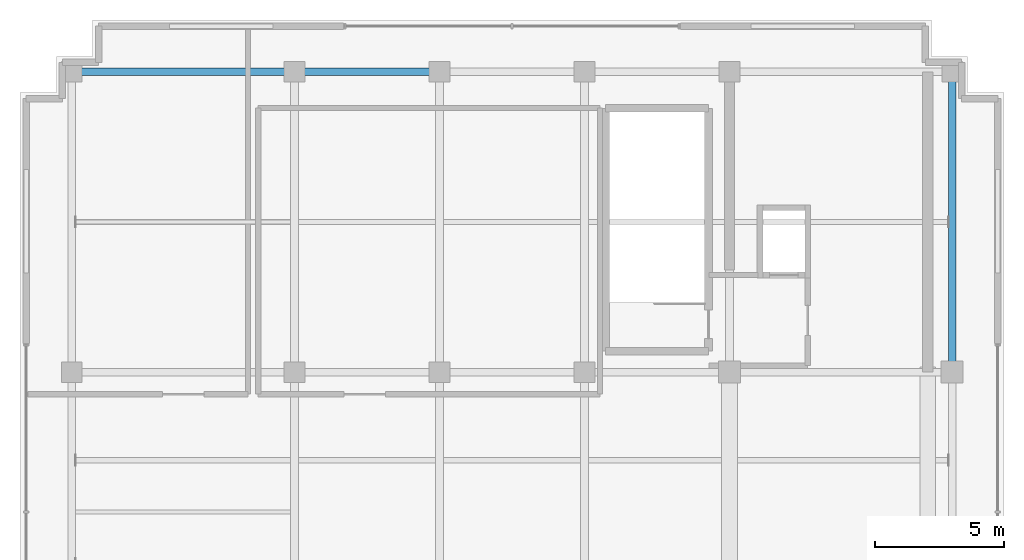
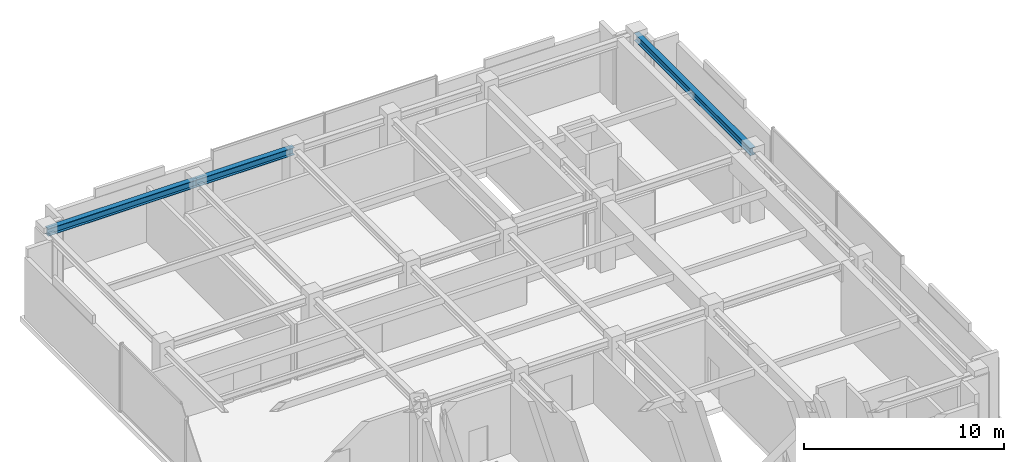
# One storey, part 13 of 21: 3 beams.
"""IFC4 building model written with IfcOpenShell, lengths in metres."""

import ifcopenshell
import ifcopenshell.guid

model = None  # the IFC model being written
_history = None  # IfcOwnerHistory: only IFC2X3 demands one
_inside = {}  # id of a spatial element -> (the spatial element, [elements in it])
_under = {}  # id of a project, library or spatial element -> (it, [spatial elements below it])
_declared = {}  # id of a project -> (the project, [libraries it declares])
_typed = {}  # id of a type object -> (the type object, [elements of that type])
_made_of = {}  # id of a material, layer set ... -> (it, [elements and type objects made of it])


def new_model(schema):
    """Start an empty IFC model of exactly this schema.

    Asked for "IFC4X3", IfcOpenShell would pick the latest addendum, in which some entities
    have other attributes; the version numbers below select the first issue.
    IFC2X3 requires an IfcOwnerHistory on every rooted entity: one is made here for all.
    """
    global model, _history
    if schema == "IFC4X3":
        model = ifcopenshell.file(schema_version=(4, 3, 0, 0))
    else:
        model = ifcopenshell.file(schema=schema)
    _inside.clear()
    _under.clear()
    _declared.clear()
    _typed.clear()
    _made_of.clear()
    _history = None
    if model.schema == "IFC2X3":
        org = make("IfcOrganization", Name="unknown")
        user = make(
            "IfcPersonAndOrganization",
            ThePerson=make("IfcPerson", FamilyName="unknown"),
            TheOrganization=org,
        )
        app = make(
            "IfcApplication",
            ApplicationDeveloper=org,
            Version="unknown",
            ApplicationFullName="unknown",
            ApplicationIdentifier="unknown",
        )
        _history = make(
            "IfcOwnerHistory",
            OwningUser=user,
            OwningApplication=app,
            ChangeAction="ADDED",
            CreationDate=0,
        )
    return model


def make(cls, **values):
    """One entity of the class cls with the attributes given. An attribute that is None is left unset."""
    return model.create_entity(
        cls, **{name: value for name, value in values.items() if value is not None}
    )


def rooted(cls, **values):
    """An entity with a GlobalId (a new one), such as an element, a storey or a relation."""
    return make(cls, GlobalId=ifcopenshell.guid.new(), OwnerHistory=_history, **values)


def si_unit(unit_type, name, prefix=None):
    """IfcSIUnit, for example si_unit("LENGTHUNIT", "METRE", prefix="MILLI")."""
    return make("IfcSIUnit", UnitType=unit_type, Prefix=prefix, Name=name)


def assignment(units):
    """IfcUnitAssignment: the units of a project."""
    return None if units is None else make("IfcUnitAssignment", Units=units)


def point(xyz):
    """IfcCartesianPoint."""
    return None if xyz is None else make("IfcCartesianPoint", Coordinates=xyz)


def direction(xyz):
    """IfcDirection."""
    return None if xyz is None else make("IfcDirection", DirectionRatios=xyz)


def frame(location, z_axis=None, x_axis=None):
    """IfcAxis2Placement3D, a coordinate frame: its origin and axes. An axis left out is left unset."""
    return make(
        "IfcAxis2Placement3D",
        Location=point(location),
        Axis=direction(z_axis),
        RefDirection=direction(x_axis),
    )


def frame_2d(location, x_axis=None):
    """IfcAxis2Placement2D, a coordinate frame in the plane: its origin and x axis."""
    return make(
        "IfcAxis2Placement2D", Location=point(location), RefDirection=direction(x_axis)
    )


def origin():
    """The frame at (0, 0, 0) with its axes left unset."""
    return frame((0.0, 0.0, 0.0))


def origin_2d():
    """The frame at (0, 0) in the plane with its x axis left unset."""
    return frame_2d((0.0, 0.0))


def place(relative_to, where):
    """IfcLocalPlacement: puts the frame where relative to a parent placement (None: the world)."""
    return make(
        "IfcLocalPlacement", PlacementRelTo=relative_to, RelativePlacement=where
    )


def context(
    kind, dimensions, precision=None, world=None, true_north=None, identifier=None
):
    """IfcGeometricRepresentationContext, for example the 3D "Model" context."""
    return make(
        "IfcGeometricRepresentationContext",
        ContextIdentifier=identifier,
        ContextType=kind,
        CoordinateSpaceDimension=dimensions,
        Precision=precision,
        WorldCoordinateSystem=world,
        TrueNorth=true_north,
    )


def subcontext(parent, identifier, kind, view, scale=None):
    """IfcGeometricRepresentationSubContext, for example "Body" below "Model"."""
    return make(
        "IfcGeometricRepresentationSubContext",
        ContextIdentifier=identifier,
        ContextType=kind,
        ParentContext=parent,
        TargetScale=scale,
        TargetView=view,
    )


def project(units=None, contexts=None):
    """IfcProject with its units and contexts."""
    return rooted(
        "IfcProject",
        Name="project",
        RepresentationContexts=contexts,
        UnitsInContext=assignment(units),
    )


def spatial(cls, under=None, at=None, **own):
    """A site, building, storey or space (cls), placed at a placement, below another one or the project."""
    s = rooted(cls, ObjectPlacement=at, **own)
    if under is not None:
        _under.setdefault(under.id(), (under, []))[1].append(s)
    return s


def profile(cls, at=None, kind="AREA", **sizes):
    """A parametric profile (cls). Its sizes go by their IFC names, for example OverallWidth=200.0."""
    return make(cls, ProfileType=kind, Position=at, **sizes)


def i_section(**sizes):
    """IfcIShapeProfileDef."""
    return profile("IfcIShapeProfileDef", **sizes)


def extrude(swept, where, along, depth):
    """IfcExtrudedAreaSolid: the profile swept, set in the frame where, extruded along a direction by depth."""
    return make(
        "IfcExtrudedAreaSolid",
        SweptArea=swept,
        Position=where,
        ExtrudedDirection=direction(along),
        Depth=depth,
    )


def shape(context_of_items, identifier, shape_type, items):
    """IfcShapeRepresentation: the items that make up one representation, for example the "Body"."""
    return make(
        "IfcShapeRepresentation",
        ContextOfItems=context_of_items,
        RepresentationIdentifier=identifier,
        RepresentationType=shape_type,
        Items=items,
    )


def source(mapping_origin, context_of_items, identifier, shape_type, items):
    """IfcRepresentationMap: a shape defined once, which mapped items show again and again."""
    return make(
        "IfcRepresentationMap",
        MappingOrigin=mapping_origin,
        MappedRepresentation=shape(context_of_items, identifier, shape_type, items),
    )


def transform(
    local_origin,
    x_axis=None,
    y_axis=None,
    z_axis=None,
    scale=None,
    scale2=None,
    scale3=None,
    uniform=True,
):
    """IfcCartesianTransformationOperator3D, or its non-uniform kind. x_axis, y_axis, z_axis: its Axis1, 2, 3."""
    if uniform:
        return make(
            "IfcCartesianTransformationOperator3D",
            Axis1=direction(x_axis),
            Axis2=direction(y_axis),
            LocalOrigin=point(local_origin),
            Scale=scale,
            Axis3=direction(z_axis),
        )
    return make(
        "IfcCartesianTransformationOperator3DnonUniform",
        Axis1=direction(x_axis),
        Axis2=direction(y_axis),
        LocalOrigin=point(local_origin),
        Scale=scale,
        Axis3=direction(z_axis),
        Scale2=scale2,
        Scale3=scale3,
    )


def mapped(mapping_source, mapping_target):
    """IfcMappedItem: shows the shape of a source again, moved by a transform."""
    return make(
        "IfcMappedItem", MappingSource=mapping_source, MappingTarget=mapping_target
    )


def material(Name=None, Category=None):
    """IfcMaterial."""
    return make("IfcMaterial", Name=Name, Category=Category)


def material_profile(
    of_material, cross_section, Name=None, Category=None, Priority=None
):
    """IfcMaterialProfile: a cross section and its material."""
    return make(
        "IfcMaterialProfile",
        Name=Name,
        Material=of_material,
        Profile=cross_section,
        Priority=Priority,
        Category=Category,
    )


def profile_set(profiles, Name=None, composite=None):
    """IfcMaterialProfileSet."""
    return make(
        "IfcMaterialProfileSet",
        Name=Name,
        MaterialProfiles=profiles,
        CompositeProfile=composite,
    )


def made_of(thing, what):
    """Note that an element or type object is made of a material, layer set ...; save() writes the relation."""
    if what is not None:
        _made_of.setdefault(what.id(), (what, []))[1].append(thing)
    return thing


def type_object(cls, material=None, **own):
    """A type object (cls), such as IfcWallType, which elements share."""
    return made_of(rooted(cls, **own), material)


def element(
    cls,
    number,
    at=None,
    inside=None,
    cuts=None,
    type_object=None,
    material=None,
    context=None,
    identifier="Body",
    shape_type=None,
    held_by="IfcProductDefinitionShape",
    body=None,
    shapes=None,
    **own,
):
    """One element of the class cls, such as IfcWall. Its Tag is "e" and its number.

    at: its placement. inside: the storey or other place that contains it. cuts: it is an
    opening in that element (IfcRelVoidsElement). A single representation is given by context,
    identifier, shape_type and body (its items); several are given by shapes. held_by: the class
    of the entity that holds the representations. save() writes the other relations.
    """
    e = rooted(cls, Tag="e%d" % number, ObjectPlacement=at, **own)
    if body is not None:
        shapes = [shape(context, identifier, shape_type, body)]
    if shapes is not None:
        e.Representation = make(held_by, Representations=shapes)
    if inside is not None:
        _inside.setdefault(inside.id(), (inside, []))[1].append(e)
    if cuts is not None:
        rooted(
            "IfcRelVoidsElement", RelatingBuildingElement=cuts, RelatedOpeningElement=e
        )
    if type_object is not None:
        _typed.setdefault(type_object.id(), (type_object, []))[1].append(e)
    return made_of(e, material)


def aggregate(whole, parts):
    """IfcRelAggregates: a whole, such as a stair, and the parts it consists of."""
    return rooted("IfcRelAggregates", RelatingObject=whole, RelatedObjects=parts)


def save(model, path):
    """Write the relations noted so far, then the file.

    IfcRelAggregates (storeys below a building ...), IfcRelContainedInSpatialStructure (elements
    in a storey), IfcRelDefinesByType, IfcRelAssociatesMaterial and IfcRelDeclares: one each for
    every whole, place, type object, material and project.
    """
    for whole, parts in _under.values():
        aggregate(whole, parts)
    for where, things in _inside.values():
        rooted(
            "IfcRelContainedInSpatialStructure",
            RelatedElements=things,
            RelatingStructure=where,
        )
    for kind, things in _typed.values():
        rooted("IfcRelDefinesByType", RelatedObjects=things, RelatingType=kind)
    for what, things in _made_of.values():
        rooted("IfcRelAssociatesMaterial", RelatedObjects=things, RelatingMaterial=what)
    for by, libraries in _declared.values():
        rooted("IfcRelDeclares", RelatingContext=by, RelatedDefinitions=libraries)
    model.write(path)


model = new_model("IFC4")

# Units and contexts
model_context = context("Model", 3, precision=1e-05, world=origin(), true_north=direction((0.0, 1.0)))
body_context = subcontext(model_context, "Body", "Model", "MODEL_VIEW")
ifc_project = project(units=[si_unit("LENGTHUNIT", "METRE"), si_unit("AREAUNIT", "SQUARE_METRE"), si_unit("VOLUMEUNIT", "CUBIC_METRE"), si_unit("PLANEANGLEUNIT", "RADIAN"), si_unit("MASSUNIT", "GRAM", prefix="KILO")], contexts=[model_context])

# Site, building, storey
site_placement = place(None, origin())
site = spatial("IfcSite", under=ifc_project, at=site_placement, CompositionType="ELEMENT")
building_placement = place(site_placement, origin())
building = spatial("IfcBuilding", under=site, at=building_placement, Name="Nahalor Promenade Grand Hotel", CompositionType="ELEMENT")
storey_placement = place(building_placement, frame((0.0, 0.0, 370.85009765625)))
storey = spatial("IfcBuildingStorey", under=building, at=storey_placement, Name="L94", CompositionType="ELEMENT", Elevation=370.85009765625)

# Beams
ifc_material = material(Name="Steel S355JR", Category="steel")
ifc_material_profile = material_profile(ifc_material, i_section(OverallWidth=0.3, OverallDepth=0.45, WebThickness=0.014, FlangeThickness=0.026, at=origin_2d()), Name="HEB 450")
ifc_profile_set = profile_set([ifc_material_profile], Name="Steel S355JR")
beam_type = type_object("IfcBeamType", Name="Beam-Girder-HEB450", PredefinedType="BEAM", material=ifc_profile_set)
shared_shape_1 = source(origin(), body_context, "Body", "SweptSolid", [
    extrude(i_section(OverallWidth=0.3, OverallDepth=0.45, WebThickness=0.014, FlangeThickness=0.026, at=origin_2d()), origin(), (0.0, 0.0, 1.0), 8.60009765625),
])
beam_1_placement = place(storey_placement, frame((-17.0, 17.0, 3.994873046875), z_axis=(1.0, 0.0, 0.0), x_axis=(0.0, 1.0, 0.0)))
element("IfcBeam", 1, at=beam_1_placement, inside=storey, type_object=beam_type, Name="BM-L94-GX-3-0", PredefinedType="BEAM", context=body_context, shape_type="MappedRepresentation", body=[
    mapped(shared_shape_1, transform((0.0, 0.0, 0.0), scale=1.0)),
])
shared_shape_2 = source(origin(), body_context, "Body", "SweptSolid", [
    extrude(i_section(OverallWidth=0.3, OverallDepth=0.45, WebThickness=0.014, FlangeThickness=0.026, at=origin_2d()), origin(), (0.0, 0.0, 1.0), 5.599853515625),
])
beam_2_placement = place(storey_placement, frame((-8.39990234375, 17.0, 3.994873046875), z_axis=(1.0, 0.0, 0.0), x_axis=(0.0, 1.0, 0.0)))
element("IfcBeam", 2, at=beam_2_placement, inside=storey, type_object=beam_type, Name="BM-L94-GX-3-1", PredefinedType="BEAM", context=body_context, shape_type="MappedRepresentation", body=[
    mapped(shared_shape_2, transform((0.0, 0.0, 0.0), scale=1.0)),
])
shared_shape_3 = source(origin(), body_context, "Body", "SweptSolid", [
    extrude(i_section(OverallWidth=0.3, OverallDepth=0.45, WebThickness=0.014, FlangeThickness=0.026, at=origin_2d()), origin(), (0.0, 0.0, 1.0), 11.60009765625),
])
beam_3_placement = place(storey_placement, frame((17.0, 5.39990234375, 3.994873046875), z_axis=(0.0, 1.0, 0.0), x_axis=(-1.0, 0.0, 0.0)))
element("IfcBeam", 3, at=beam_3_placement, inside=storey, type_object=beam_type, Name="BM-L94-GY-5-2", PredefinedType="BEAM", context=body_context, shape_type="MappedRepresentation", body=[
    mapped(shared_shape_3, transform((0.0, 0.0, 0.0), scale=1.0)),
])

save(model, "model.ifc")
